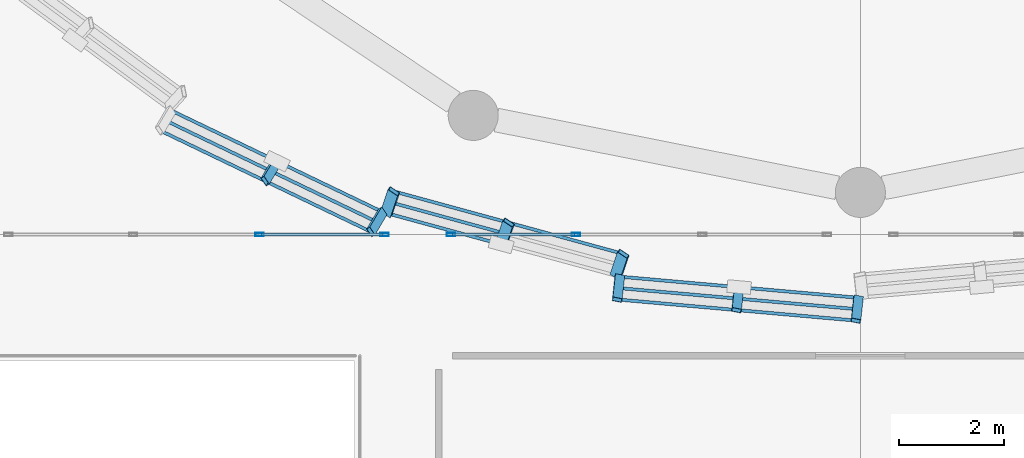
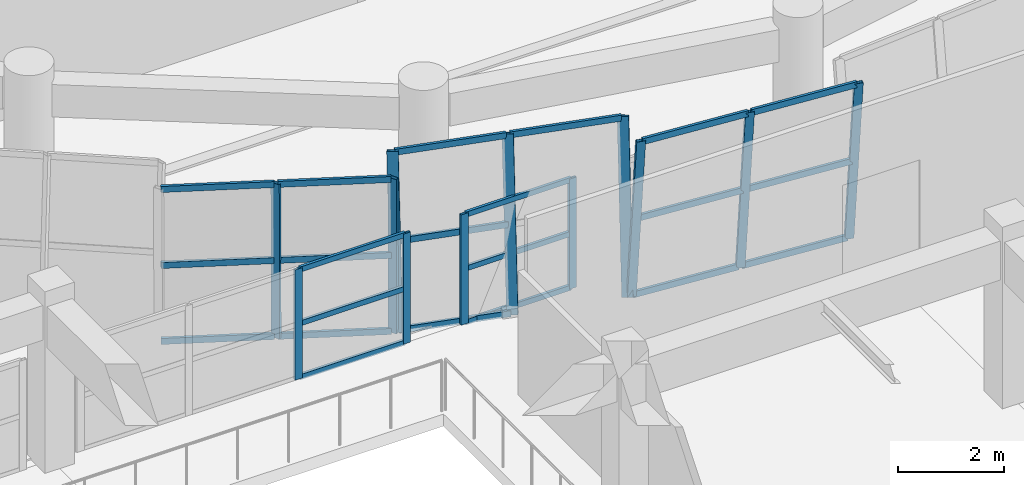
# One storey, part 23 of 71: 34 members, 5 elements without a shape of their own.
"""IFC4 building model written with IfcOpenShell, lengths in metres."""

from ifc_helpers import new_model, si_unit, direction, frame, origin, origin_2d, place, context, subcontext, project, spatial, hollow_rectangle, extrude, material, material_profile, profile_set, type_object, element, aggregate, save


model = new_model("IFC4")

# Units and contexts
model_context = context("Model", 3, precision=1e-05, world=origin(), true_north=direction((0.0, 1.0)))
body_context = subcontext(model_context, "Body", "Model", "MODEL_VIEW")
ifc_project = project(units=[si_unit("LENGTHUNIT", "METRE"), si_unit("AREAUNIT", "SQUARE_METRE"), si_unit("VOLUMEUNIT", "CUBIC_METRE"), si_unit("PLANEANGLEUNIT", "RADIAN"), si_unit("MASSUNIT", "GRAM", prefix="KILO")], contexts=[model_context])

# Site, building, storey
site_placement = place(None, origin())
site = spatial("IfcSite", under=ifc_project, at=site_placement, CompositionType="ELEMENT")
building_placement = place(site_placement, origin())
building = spatial("IfcBuilding", under=site, at=building_placement, Name="Korsvaeld Concert Hall", CompositionType="ELEMENT")
storey_placement = place(building_placement, frame((0.0, 0.0, 4.800048828125)))
storey = spatial("IfcBuildingStorey", under=building, at=storey_placement, Name="L01", CompositionType="ELEMENT", Elevation=4.800048828125)

# Curtain wall, members
ifc_material_1 = material(Name="Anodised bronze and ceramic-fritted safety glass", Category="glass")
curtain_wall_type_1 = type_object("IfcCurtainWallType", Name="CW-TYPE-10", PredefinedType="USERDEFINED", material=ifc_material_1)
curtain_wall_1_placement = place(storey_placement, origin())
curtain_wall_1 = element("IfcCurtainWall", 1, at=curtain_wall_1_placement, inside=storey, type_object=curtain_wall_type_1, Name="Glazed foyer acoustic screen L01-26", ObjectType="CURTAIN WALL", PredefinedType="USERDEFINED")
ifc_material_2 = material(Name="Anodised architectural bronze aluminium", Category="aluminium")
ifc_material_profile_1 = material_profile(ifc_material_2, hollow_rectangle(XDim=0.06005859375, YDim=0.159912109375, WallThickness=0.00390625, at=origin_2d()), Name="CWM 160x60x4")
ifc_profile_set_1 = profile_set([ifc_material_profile_1], Name="Anodised architectural bronze aluminium")
member_type_1 = type_object("IfcMemberType", Name="CWM-ALUM-160x60", PredefinedType="MULLION", material=ifc_profile_set_1)
member_1_placement = place(storey_placement, frame((72.60009765625, 43.199951171875, 0.0), z_axis=(0.0, 0.0, 1.0), x_axis=(0.0, 1.0, 0.0)))
member_1 = element("IfcMember", 2, at=member_1_placement, type_object=member_type_1, Name="CW-10 mullion 3", PredefinedType="MULLION", context=body_context, shape_type="SweptSolid", body=[
    extrude(hollow_rectangle(XDim=0.06005859375, YDim=0.159912109375, WallThickness=0.00390625, at=origin_2d()), origin(), (0.0, 0.0, 1.0), 2.550048828125),
])
member_2_placement = place(storey_placement, frame((74.969970703125, 43.199951171875, 0.0), z_axis=(0.0, 0.0, 1.0), x_axis=(0.0, 1.0, 0.0)))
member_2 = element("IfcMember", 3, at=member_2_placement, type_object=member_type_1, Name="CW-10 mullion 4", PredefinedType="MULLION", context=body_context, shape_type="SweptSolid", body=[
    extrude(hollow_rectangle(XDim=0.06005859375, YDim=0.159912109375, WallThickness=0.00390625, at=origin_2d()), origin(), (0.0, 0.0, 1.0), 2.550048828125),
])

curtain_wall_type_2 = type_object("IfcCurtainWallType", Name="CW-TYPE-11", PredefinedType="USERDEFINED", material=ifc_material_1)
curtain_wall_2_placement = place(storey_placement, origin())
curtain_wall_2 = element("IfcCurtainWall", 4, at=curtain_wall_2_placement, inside=storey, type_object=curtain_wall_type_2, Name="Glazed foyer acoustic screen L01-27", ObjectType="CURTAIN WALL", PredefinedType="USERDEFINED")
member_3_placement = place(storey_placement, frame((76.22998046875, 43.199951171875, 0.0), z_axis=(0.0, 0.0, 1.0), x_axis=(0.0, 1.0, 0.0)))
member_3 = element("IfcMember", 5, at=member_3_placement, type_object=member_type_1, Name="CW-11 mullion 1", PredefinedType="MULLION", context=body_context, shape_type="SweptSolid", body=[
    extrude(hollow_rectangle(XDim=0.06005859375, YDim=0.159912109375, WallThickness=0.00390625, at=origin_2d()), origin(), (0.0, 0.0, 1.0), 2.550048828125),
])
member_4_placement = place(storey_placement, frame((78.60009765625, 43.199951171875, 0.0), z_axis=(0.0, 0.0, 1.0), x_axis=(0.0, 1.0, 0.0)))
member_4 = element("IfcMember", 6, at=member_4_placement, type_object=member_type_1, Name="CW-11 mullion 2", PredefinedType="MULLION", context=body_context, shape_type="SweptSolid", body=[
    extrude(hollow_rectangle(XDim=0.06005859375, YDim=0.159912109375, WallThickness=0.00390625, at=origin_2d()), origin(), (0.0, 0.0, 1.0), 2.550048828125),
])

curtain_wall_type_3 = type_object("IfcCurtainWallType", Name="CW-TYPE-06", PredefinedType="USERDEFINED", material=ifc_material_1)
curtain_wall_3_placement = place(storey_placement, origin())
curtain_wall_3 = element("IfcCurtainWall", 7, at=curtain_wall_3_placement, inside=storey, type_object=curtain_wall_type_3, Name="Crystal curtain-wall facet L01 F22", ObjectType="CURTAIN WALL", PredefinedType="USERDEFINED")
ifc_material_profile_2 = material_profile(ifc_material_2, hollow_rectangle(XDim=0.074951171875, YDim=0.179931640625, WallThickness=0.0048828125, at=origin_2d()), Name="CWM 180x75x5")
ifc_profile_set_2 = profile_set([ifc_material_profile_2], Name="Anodised architectural bronze aluminium")
member_type_2 = type_object("IfcMemberType", Name="CWM-BRONZE-180x75", PredefinedType="MULLION", material=ifc_profile_set_2)
member_5_placement = place(storey_placement, frame((72.9287109375, 44.59326171875, 0.0), z_axis=(-0.057893742062, -0.097281493141, 0.993571651026), x_axis=(0.829999138773, 0.548349174532, 0.102052008437)))
member_5 = element("IfcMember", 8, at=member_5_placement, type_object=member_type_2, Name="CW-CRYS-L01-F22 crystal mullion 2", PredefinedType="MULLION", context=body_context, shape_type="SweptSolid", body=[
    extrude(hollow_rectangle(XDim=0.074951171875, YDim=0.179931640625, WallThickness=0.0048828125, at=origin_2d()), origin(), (0.0, 0.0, 1.0), 3.905029296875),
])
member_6_placement = place(storey_placement, frame((74.934814453125, 43.630126953125, 0.0), z_axis=(-0.057893742062, -0.097281493141, 0.993571651026), x_axis=(0.829999138773, 0.548349174532, 0.102052008437)))
member_6 = element("IfcMember", 9, at=member_6_placement, type_object=member_type_2, Name="CW-CRYS-L01-F22 crystal mullion 3", PredefinedType="MULLION", context=body_context, shape_type="SweptSolid", body=[
    extrude(hollow_rectangle(XDim=0.074951171875, YDim=0.179931640625, WallThickness=0.0048828125, at=origin_2d()), origin(), (0.0, 0.0, 1.0), 3.905029296875),
])

curtain_wall_type_4 = type_object("IfcCurtainWallType", Name="CW-TYPE-08", PredefinedType="USERDEFINED", material=ifc_material_1)
curtain_wall_4_placement = place(storey_placement, origin())
curtain_wall_4 = element("IfcCurtainWall", 10, at=curtain_wall_4_placement, inside=storey, type_object=curtain_wall_type_4, Name="Crystal curtain-wall facet L01 F24", ObjectType="CURTAIN WALL", PredefinedType="USERDEFINED")
member_7_placement = place(storey_placement, frame((79.433349609375, 42.404052734375, 0.0), z_axis=(-0.012378993159, -0.11253630145, 0.993570501466), x_axis=(0.195828135114, 0.974132056409, 0.112774457103)))
member_7 = element("IfcMember", 11, at=member_7_placement, type_object=member_type_2, Name="CW-CRYS-L01-F24 crystal mullion 1", PredefinedType="MULLION", context=body_context, shape_type="SweptSolid", body=[
    extrude(hollow_rectangle(XDim=0.074951171875, YDim=0.179931640625, WallThickness=0.0048828125, at=origin_2d()), origin(), (0.0, 0.0, 1.0), 3.905029296875),
])
member_8_placement = place(storey_placement, frame((81.697998046875, 42.20361328125, 0.0), z_axis=(-0.012378993159, -0.11253630145, 0.993570501466), x_axis=(0.195828135114, 0.974132056409, 0.112774457103)))
member_8 = element("IfcMember", 12, at=member_8_placement, type_object=member_type_2, Name="CW-CRYS-L01-F24 crystal mullion 2", PredefinedType="MULLION", context=body_context, shape_type="SweptSolid", body=[
    extrude(hollow_rectangle(XDim=0.074951171875, YDim=0.179931640625, WallThickness=0.0048828125, at=origin_2d()), origin(), (0.0, 0.0, 1.0), 3.905029296875),
])
member_9_placement = place(storey_placement, frame((83.962646484375, 42.00341796875, 0.0), z_axis=(-0.0123164825, -0.112536388326, 0.993571268486), x_axis=(0.195293442092, 0.974240168355, 0.11276775177)))
member_9 = element("IfcMember", 13, at=member_9_placement, type_object=member_type_2, Name="CW-CRYS-L01-F24 crystal mullion 3", PredefinedType="MULLION", context=body_context, shape_type="SweptSolid", body=[
    extrude(hollow_rectangle(XDim=0.074951171875, YDim=0.179931640625, WallThickness=0.0048828125, at=origin_2d()), origin(), (0.0, 0.0, 1.0), 3.905029296875),
])

curtain_wall_type_5 = type_object("IfcCurtainWallType", Name="CW-TYPE-07", PredefinedType="USERDEFINED", material=ifc_material_1)
curtain_wall_5_placement = place(storey_placement, origin())
curtain_wall_5 = element("IfcCurtainWall", 14, at=curtain_wall_5_placement, inside=storey, type_object=curtain_wall_type_5, Name="Crystal curtain-wall facet L01 F23", ObjectType="CURTAIN WALL", PredefinedType="USERDEFINED")
ifc_material_profile_3 = material_profile(ifc_material_2, hollow_rectangle(XDim=0.074951171875, YDim=0.219970703125, WallThickness=0.006103515625, at=origin_2d()), Name="CWM 220x75x6")
ifc_profile_set_3 = profile_set([ifc_material_profile_3], Name="Anodised architectural bronze aluminium")
member_type_3 = type_object("IfcMemberType", Name="CWM-BRONZE-220x75", PredefinedType="MULLION", material=ifc_profile_set_3)
member_10_placement = place(storey_placement, frame((75.0048828125, 43.60400390625, 0.0), z_axis=(0.036199370674, 0.107222660976, 0.993575818212), x_axis=(-0.55573373549, -0.824159071594, 0.109187178494)))
member_10 = element("IfcMember", 15, at=member_10_placement, type_object=member_type_3, Name="CW-CRYS-L01-F23 crystal mullion 1", PredefinedType="MULLION", context=body_context, shape_type="SweptSolid", body=[
    extrude(hollow_rectangle(XDim=0.074951171875, YDim=0.219970703125, WallThickness=0.006103515625, at=origin_2d()), origin(), (0.0, 0.0, 1.0), 3.905029296875),
])
member_11_placement = place(storey_placement, frame((77.182373046875, 43.010498046875, 0.0), z_axis=(0.036199127939, 0.107284462077, 0.993569155788), x_axis=(-0.555586106848, -0.82425112305, 0.109243599485)))
member_11 = element("IfcMember", 16, at=member_11_placement, type_object=member_type_3, Name="CW-CRYS-L01-F23 crystal mullion 2", PredefinedType="MULLION", context=body_context, shape_type="SweptSolid", body=[
    extrude(hollow_rectangle(XDim=0.074951171875, YDim=0.219970703125, WallThickness=0.006103515625, at=origin_2d()), origin(), (0.0, 0.0, 1.0), 3.905029296875),
])
member_12_placement = place(storey_placement, frame((79.359619140625, 42.417236328125, 0.0), z_axis=(0.036261565885, 0.107284219065, 0.993566905235), x_axis=(-0.556016496994, -0.823958329051, 0.109262651706)))
member_12 = element("IfcMember", 17, at=member_12_placement, type_object=member_type_3, Name="CW-CRYS-L01-F23 crystal mullion 3", PredefinedType="MULLION", context=body_context, shape_type="SweptSolid", body=[
    extrude(hollow_rectangle(XDim=0.074951171875, YDim=0.219970703125, WallThickness=0.006103515625, at=origin_2d()), origin(), (0.0, 0.0, 1.0), 3.905029296875),
])

# Member
ifc_material_profile_4 = material_profile(ifc_material_2, hollow_rectangle(XDim=0.06005859375, YDim=0.1201171875, WallThickness=0.00390625, at=origin_2d()), Name="CWT 120x60x4")
ifc_profile_set_4 = profile_set([ifc_material_profile_4], Name="Anodised architectural bronze aluminium")
member_type_4 = type_object("IfcMemberType", Name="CWT-ALUM-120x60", PredefinedType="USERDEFINED", material=ifc_profile_set_4)
member_13_placement = place(storey_placement, frame((72.6298828125, 43.199951171875, 0.030029296875), z_axis=(1.0, 0.0, 0.0), x_axis=(0.0, 1.0, 0.0)))
member_13 = element("IfcMember", 18, at=member_13_placement, type_object=member_type_4, Name="CW-10 transom 3.1", ObjectType="TRANSOM", PredefinedType="USERDEFINED", context=body_context, shape_type="SweptSolid", body=[
    extrude(hollow_rectangle(XDim=0.06005859375, YDim=0.1201171875, WallThickness=0.00390625, at=origin_2d()), origin(), (0.0, 0.0, 1.0), 2.31005859375),
])

member_14_placement = place(storey_placement, frame((72.6298828125, 43.199951171875, 1.27490234375), z_axis=(1.0, 0.0, 0.0), x_axis=(0.0, 1.0, 0.0)))
member_14 = element("IfcMember", 19, at=member_14_placement, type_object=member_type_4, Name="CW-10 transom 3.2", ObjectType="TRANSOM", PredefinedType="USERDEFINED", context=body_context, shape_type="SweptSolid", body=[
    extrude(hollow_rectangle(XDim=0.06005859375, YDim=0.1201171875, WallThickness=0.00390625, at=origin_2d()), origin(), (0.0, 0.0, 1.0), 2.31005859375),
])

member_15_placement = place(storey_placement, frame((72.6298828125, 43.199951171875, 2.52001953125), z_axis=(1.0, 0.0, 0.0), x_axis=(0.0, 1.0, 0.0)))
member_15 = element("IfcMember", 20, at=member_15_placement, type_object=member_type_4, Name="CW-10 transom 3.3", ObjectType="TRANSOM", PredefinedType="USERDEFINED", context=body_context, shape_type="SweptSolid", body=[
    extrude(hollow_rectangle(XDim=0.06005859375, YDim=0.1201171875, WallThickness=0.00390625, at=origin_2d()), origin(), (0.0, 0.0, 1.0), 2.31005859375),
])

aggregate(curtain_wall_1, [member_1, member_2, member_13, member_14, member_15])

member_16_placement = place(storey_placement, frame((76.260009765625, 43.199951171875, 0.030029296875), z_axis=(1.0, 0.0, 0.0), x_axis=(0.0, 1.0, 0.0)))
member_16 = element("IfcMember", 21, at=member_16_placement, type_object=member_type_4, Name="CW-11 transom 1.1", ObjectType="TRANSOM", PredefinedType="USERDEFINED", context=body_context, shape_type="SweptSolid", body=[
    extrude(hollow_rectangle(XDim=0.06005859375, YDim=0.1201171875, WallThickness=0.00390625, at=origin_2d()), origin(), (0.0, 0.0, 1.0), 2.31005859375),
])

member_17_placement = place(storey_placement, frame((76.260009765625, 43.199951171875, 1.27490234375), z_axis=(1.0, 0.0, 0.0), x_axis=(0.0, 1.0, 0.0)))
member_17 = element("IfcMember", 22, at=member_17_placement, type_object=member_type_4, Name="CW-11 transom 1.2", ObjectType="TRANSOM", PredefinedType="USERDEFINED", context=body_context, shape_type="SweptSolid", body=[
    extrude(hollow_rectangle(XDim=0.06005859375, YDim=0.1201171875, WallThickness=0.00390625, at=origin_2d()), origin(), (0.0, 0.0, 1.0), 2.31005859375),
])

member_18_placement = place(storey_placement, frame((76.260009765625, 43.199951171875, 2.52001953125), z_axis=(1.0, 0.0, 0.0), x_axis=(0.0, 1.0, 0.0)))
member_18 = element("IfcMember", 23, at=member_18_placement, type_object=member_type_4, Name="CW-11 transom 1.3", ObjectType="TRANSOM", PredefinedType="USERDEFINED", context=body_context, shape_type="SweptSolid", body=[
    extrude(hollow_rectangle(XDim=0.06005859375, YDim=0.1201171875, WallThickness=0.00390625, at=origin_2d()), origin(), (0.0, 0.0, 1.0), 2.31005859375),
])

aggregate(curtain_wall_2, [member_3, member_4, member_16, member_17, member_18])

ifc_material_profile_5 = material_profile(ifc_material_2, hollow_rectangle(XDim=0.06005859375, YDim=0.139892578125, WallThickness=0.00390625, at=origin_2d()), Name="CWT 140x60x4")
ifc_profile_set_5 = profile_set([ifc_material_profile_5], Name="Anodised architectural bronze aluminium")
member_type_5 = type_object("IfcMemberType", Name="CWT-BRONZE-140x60", PredefinedType="USERDEFINED", material=ifc_profile_set_5)
member_19_placement = place(storey_placement, frame((70.954345703125, 45.537353515625, 0.030029296875), z_axis=(0.901508884705, -0.432760592935, 0.0), x_axis=(0.432760592935, 0.901508884705, 0.0)))
member_19 = element("IfcMember", 24, at=member_19_placement, type_object=member_type_5, Name="CW-CRYS-L01-F22 crystal transom 1.1", ObjectType="TRANSOM", PredefinedType="USERDEFINED", context=body_context, shape_type="SweptSolid", body=[
    extrude(hollow_rectangle(XDim=0.06005859375, YDim=0.139892578125, WallThickness=0.00390625, at=origin_2d()), origin(), (0.0, 0.0, 1.0), 2.150634765625),
])

member_20_placement = place(storey_placement, frame((70.843017578125, 45.350341796875, 1.93994140625), z_axis=(0.901508884705, -0.432760592935, 0.0), x_axis=(0.432760592935, 0.901508884705, 0.0)))
member_20 = element("IfcMember", 25, at=member_20_placement, type_object=member_type_5, Name="CW-CRYS-L01-F22 crystal transom 1.2", ObjectType="TRANSOM", PredefinedType="USERDEFINED", context=body_context, shape_type="SweptSolid", body=[
    extrude(hollow_rectangle(XDim=0.06005859375, YDim=0.139892578125, WallThickness=0.00390625, at=origin_2d()), origin(), (0.0, 0.0, 1.0), 2.150634765625),
])

member_21_placement = place(storey_placement, frame((70.731689453125, 45.163330078125, 3.849853515625), z_axis=(0.901508884705, -0.432760592935, 0.0), x_axis=(0.432760592935, 0.901508884705, 0.0)))
member_21 = element("IfcMember", 26, at=member_21_placement, type_object=member_type_5, Name="CW-CRYS-L01-F22 crystal transom 1.3", ObjectType="TRANSOM", PredefinedType="USERDEFINED", context=body_context, shape_type="SweptSolid", body=[
    extrude(hollow_rectangle(XDim=0.06005859375, YDim=0.139892578125, WallThickness=0.00390625, at=origin_2d()), origin(), (0.0, 0.0, 1.0), 2.150634765625),
])

member_22_placement = place(storey_placement, frame((72.960693359375, 44.57421875, 0.030029296875), z_axis=(0.901464591462, -0.432852850679, 0.0), x_axis=(0.432852850679, 0.901464591462, 0.0)))
member_22 = element("IfcMember", 27, at=member_22_placement, type_object=member_type_5, Name="CW-CRYS-L01-F22 crystal transom 2.1", ObjectType="TRANSOM", PredefinedType="USERDEFINED", context=body_context, shape_type="SweptSolid", body=[
    extrude(hollow_rectangle(XDim=0.06005859375, YDim=0.139892578125, WallThickness=0.00390625, at=origin_2d()), origin(), (0.0, 0.0, 1.0), 2.150634765625),
])

member_23_placement = place(storey_placement, frame((72.849365234375, 44.38720703125, 1.93994140625), z_axis=(0.901464591462, -0.432852850679, 0.0), x_axis=(0.432852850679, 0.901464591462, 0.0)))
member_23 = element("IfcMember", 28, at=member_23_placement, type_object=member_type_5, Name="CW-CRYS-L01-F22 crystal transom 2.2", ObjectType="TRANSOM", PredefinedType="USERDEFINED", context=body_context, shape_type="SweptSolid", body=[
    extrude(hollow_rectangle(XDim=0.06005859375, YDim=0.139892578125, WallThickness=0.00390625, at=origin_2d()), origin(), (0.0, 0.0, 1.0), 2.150634765625),
])

member_24_placement = place(storey_placement, frame((72.738037109375, 44.2001953125, 3.849853515625), z_axis=(0.901464591462, -0.432852850679, 0.0), x_axis=(0.432852850679, 0.901464591462, 0.0)))
member_24 = element("IfcMember", 29, at=member_24_placement, type_object=member_type_5, Name="CW-CRYS-L01-F22 crystal transom 2.3", ObjectType="TRANSOM", PredefinedType="USERDEFINED", context=body_context, shape_type="SweptSolid", body=[
    extrude(hollow_rectangle(XDim=0.06005859375, YDim=0.139892578125, WallThickness=0.00390625, at=origin_2d()), origin(), (0.0, 0.0, 1.0), 2.150634765625),
])

aggregate(curtain_wall_3, [member_5, member_6, member_19, member_20, member_21, member_22, member_23, member_24])

member_25_placement = place(storey_placement, frame((75.042236328125, 43.597412109375, 0.030029296875), z_axis=(0.964805126409, -0.262965906641, 0.0), x_axis=(0.262965906641, 0.964805126409, 0.0)))
member_25 = element("IfcMember", 30, at=member_25_placement, type_object=member_type_5, Name="CW-CRYS-L01-F23 crystal transom 1.1", ObjectType="TRANSOM", PredefinedType="USERDEFINED", context=body_context, shape_type="SweptSolid", body=[
    extrude(hollow_rectangle(XDim=0.06005859375, YDim=0.139892578125, WallThickness=0.00390625, at=origin_2d()), origin(), (0.0, 0.0, 1.0), 2.181884765625),
])

member_26_placement = place(storey_placement, frame((75.11181640625, 43.803466796875, 1.93994140625), z_axis=(0.964833511963, -0.262861739689, 0.0), x_axis=(0.262861739689, 0.964833511963, 0.0)))
member_26 = element("IfcMember", 31, at=member_26_placement, type_object=member_type_5, Name="CW-CRYS-L01-F23 crystal transom 1.2", ObjectType="TRANSOM", PredefinedType="USERDEFINED", context=body_context, shape_type="SweptSolid", body=[
    extrude(hollow_rectangle(XDim=0.06005859375, YDim=0.139892578125, WallThickness=0.00390625, at=origin_2d()), origin(), (0.0, 0.0, 1.0), 2.181640625),
])

member_27_placement = place(storey_placement, frame((75.181396484375, 44.009765625, 3.849853515625), z_axis=(0.964805126409, -0.262965906641, 0.0), x_axis=(0.262965906641, 0.964805126409, 0.0)))
member_27 = element("IfcMember", 32, at=member_27_placement, type_object=member_type_5, Name="CW-CRYS-L01-F23 crystal transom 1.3", ObjectType="TRANSOM", PredefinedType="USERDEFINED", context=body_context, shape_type="SweptSolid", body=[
    extrude(hollow_rectangle(XDim=0.06005859375, YDim=0.139892578125, WallThickness=0.00390625, at=origin_2d()), origin(), (0.0, 0.0, 1.0), 2.181884765625),
])

member_28_placement = place(storey_placement, frame((77.35888671875, 43.416259765625, 3.849853515625), z_axis=(0.964833511963, -0.262861739689, 0.0), x_axis=(0.262861739689, 0.964833511963, 0.0)))
member_28 = element("IfcMember", 33, at=member_28_placement, type_object=member_type_5, Name="CW-CRYS-L01-F23 crystal transom 2.3", ObjectType="TRANSOM", PredefinedType="USERDEFINED", context=body_context, shape_type="SweptSolid", body=[
    extrude(hollow_rectangle(XDim=0.06005859375, YDim=0.139892578125, WallThickness=0.00390625, at=origin_2d()), origin(), (0.0, 0.0, 1.0), 2.181640625),
])

aggregate(curtain_wall_5, [member_10, member_11, member_12, member_25, member_26, member_27, member_28])

member_29_placement = place(storey_placement, frame((79.47021484375, 42.3974609375, 0.030029296875), z_axis=(0.996105218313, -0.088172524341, 0.0), x_axis=(0.088172524341, 0.996105218313, 0.0)))
member_29 = element("IfcMember", 34, at=member_29_placement, type_object=member_type_5, Name="CW-CRYS-L01-F24 crystal transom 1.1", ObjectType="TRANSOM", PredefinedType="USERDEFINED", context=body_context, shape_type="SweptSolid", body=[
    extrude(hollow_rectangle(XDim=0.06005859375, YDim=0.139892578125, WallThickness=0.00390625, at=origin_2d()), origin(), (0.0, 0.0, 1.0), 2.198486328125),
])

member_30_placement = place(storey_placement, frame((79.446533203125, 42.18115234375, 1.93994140625), z_axis=(0.996105218313, -0.088172524341, 0.0), x_axis=(0.088172524341, 0.996105218313, 0.0)))
member_30 = element("IfcMember", 35, at=member_30_placement, type_object=member_type_5, Name="CW-CRYS-L01-F24 crystal transom 1.2", ObjectType="TRANSOM", PredefinedType="USERDEFINED", context=body_context, shape_type="SweptSolid", body=[
    extrude(hollow_rectangle(XDim=0.06005859375, YDim=0.139892578125, WallThickness=0.00390625, at=origin_2d()), origin(), (0.0, 0.0, 1.0), 2.198486328125),
])

member_31_placement = place(storey_placement, frame((79.4228515625, 41.96484375, 3.849853515625), z_axis=(0.996105218313, -0.088172524341, 0.0), x_axis=(0.088172524341, 0.996105218313, 0.0)))
member_31 = element("IfcMember", 36, at=member_31_placement, type_object=member_type_5, Name="CW-CRYS-L01-F24 crystal transom 1.3", ObjectType="TRANSOM", PredefinedType="USERDEFINED", context=body_context, shape_type="SweptSolid", body=[
    extrude(hollow_rectangle(XDim=0.06005859375, YDim=0.139892578125, WallThickness=0.00390625, at=origin_2d()), origin(), (0.0, 0.0, 1.0), 2.198486328125),
])

member_32_placement = place(storey_placement, frame((81.73486328125, 42.197021484375, 0.030029296875), z_axis=(0.996105218313, -0.088172524341, 0.0), x_axis=(0.088172524341, 0.996105218313, 0.0)))
member_32 = element("IfcMember", 37, at=member_32_placement, type_object=member_type_5, Name="CW-CRYS-L01-F24 crystal transom 2.1", ObjectType="TRANSOM", PredefinedType="USERDEFINED", context=body_context, shape_type="SweptSolid", body=[
    extrude(hollow_rectangle(XDim=0.06005859375, YDim=0.139892578125, WallThickness=0.00390625, at=origin_2d()), origin(), (0.0, 0.0, 1.0), 2.198486328125),
])

member_33_placement = place(storey_placement, frame((81.711181640625, 41.980712890625, 1.93994140625), z_axis=(0.996105218313, -0.088172524341, 0.0), x_axis=(0.088172524341, 0.996105218313, 0.0)))
member_33 = element("IfcMember", 38, at=member_33_placement, type_object=member_type_5, Name="CW-CRYS-L01-F24 crystal transom 2.2", ObjectType="TRANSOM", PredefinedType="USERDEFINED", context=body_context, shape_type="SweptSolid", body=[
    extrude(hollow_rectangle(XDim=0.06005859375, YDim=0.139892578125, WallThickness=0.00390625, at=origin_2d()), origin(), (0.0, 0.0, 1.0), 2.198486328125),
])

member_34_placement = place(storey_placement, frame((81.6875, 41.764404296875, 3.849853515625), z_axis=(0.996105218313, -0.088172524341, 0.0), x_axis=(0.088172524341, 0.996105218313, 0.0)))
member_34 = element("IfcMember", 39, at=member_34_placement, type_object=member_type_5, Name="CW-CRYS-L01-F24 crystal transom 2.3", ObjectType="TRANSOM", PredefinedType="USERDEFINED", context=body_context, shape_type="SweptSolid", body=[
    extrude(hollow_rectangle(XDim=0.06005859375, YDim=0.139892578125, WallThickness=0.00390625, at=origin_2d()), origin(), (0.0, 0.0, 1.0), 2.198486328125),
])

aggregate(curtain_wall_4, [member_7, member_8, member_9, member_29, member_30, member_31, member_32, member_33, member_34])

save(model, "model.ifc")
